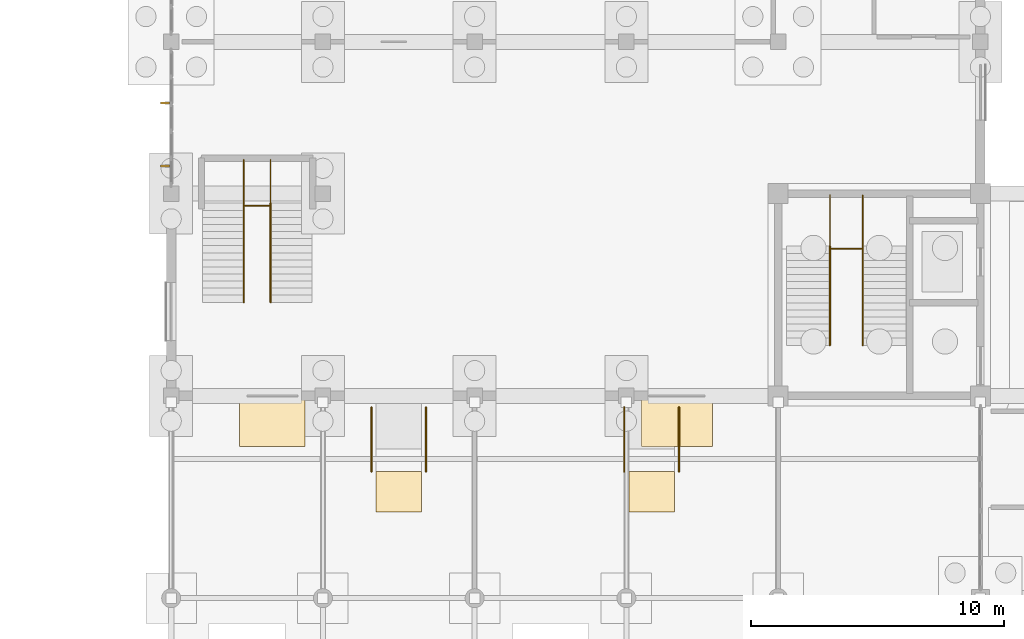
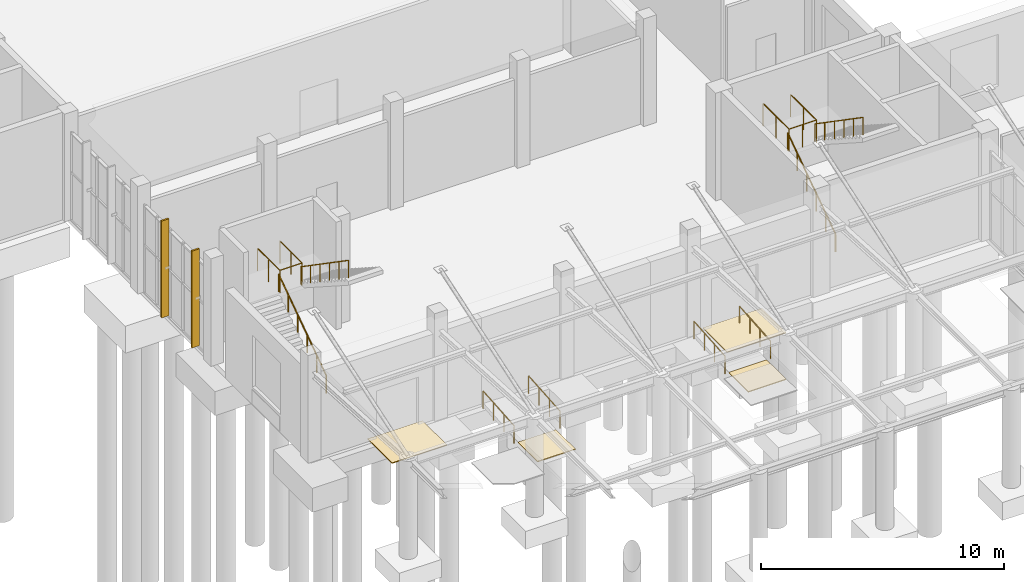
# One storey, part 59 of 69: 10 railings, 4 coverings, 2 shading devices.
"""IFC4 building model written with IfcOpenShell, lengths in metres."""

from ifc_helpers import new_model, si_unit, direction, frame, origin, origin_2d, place, context, subcontext, project, spatial, polyline, rectangle, circle, outline, extrude, material, layer, layer_set, type_object, element, save


model = new_model("IFC4")

# Units and contexts
model_context = context("Model", 3, precision=1e-05, world=origin(), true_north=direction((0.0, 1.0)))
body_context = subcontext(model_context, "Body", "Model", "MODEL_VIEW")
ifc_project = project(units=[si_unit("LENGTHUNIT", "METRE"), si_unit("AREAUNIT", "SQUARE_METRE"), si_unit("VOLUMEUNIT", "CUBIC_METRE"), si_unit("PLANEANGLEUNIT", "RADIAN"), si_unit("MASSUNIT", "GRAM", prefix="KILO")], contexts=[model_context])

# Site, building, storey
site_placement = place(None, origin())
site = spatial("IfcSite", under=ifc_project, at=site_placement, CompositionType="ELEMENT")
building_placement = place(site_placement, origin())
building = spatial("IfcBuilding", under=site, at=building_placement, Name="Solvane Community Centre", CompositionType="ELEMENT")
storey_placement = place(building_placement, origin())
storey = spatial("IfcBuildingStorey", under=building, at=storey_placement, Name="L00", CompositionType="ELEMENT", Elevation=0.0)

# Shading devices
ifc_material_1 = material(Name="Anodised bronze aluminium AW-6063 T6", Category="aluminium")
shading_device_type = type_object("IfcShadingDeviceType", Name="Art Deco Bronze Solar Fin 80x360", PredefinedType="USERDEFINED", material=ifc_material_1)
shading_device_1_placement = place(storey_placement, frame((35.760009765625, 31.086669921875, 0.14990234375), z_axis=(0.0, 0.0, 1.0), x_axis=(0.0, 1.0, 0.0)))
element("IfcShadingDevice", 1, at=shading_device_1_placement, inside=storey, type_object=shading_device_type, Name="Solar Brise-Soleil Fin 3", ObjectType="Solar Brise-Soleil Fin 3", PredefinedType="USERDEFINED", context=body_context, shape_type="SweptSolid", body=[
    extrude(rectangle(XDim=0.080078125, YDim=0.360107421875, at=origin_2d()), origin(), (0.0, 0.0, 1.0), 4.860107421875),
])
shading_device_2_placement = place(storey_placement, frame((35.760009765625, 33.580078125, 0.14990234375), z_axis=(0.0, 0.0, 1.0), x_axis=(0.0, 1.0, 0.0)))
element("IfcShadingDevice", 2, at=shading_device_2_placement, inside=storey, type_object=shading_device_type, Name="Solar Brise-Soleil Fin 4", ObjectType="Solar Brise-Soleil Fin 4", PredefinedType="USERDEFINED", context=body_context, shape_type="SweptSolid", body=[
    extrude(rectangle(XDim=0.080078125, YDim=0.360107421875, at=origin_2d()), origin(), (0.0, 0.0, 1.0), 4.860107421875),
])

# Railings
railing_type_1 = type_object("IfcRailingType", Name="Interior Gallery & Stair Well Guard 1150mm", PredefinedType="BALUSTRADE", material=ifc_material_1)
railing_1_placement = place(storey_placement, frame((62.050048828125, 29.93994140625, 2.699951171875)))
element("IfcRailing", 3, at=railing_1_placement, inside=storey, type_object=railing_type_1, Name="Railing GR-L00-003", PredefinedType="BALUSTRADE", context=body_context, shape_type="SweptSolid", body=[
    extrude(circle(Radius=0.02392578125, at=origin_2d()), frame((0.0, 0.0, 1.1259765625), z_axis=(0.0, -1.0, 0.0), x_axis=(1.0, 0.0, 0.0)), (0.0, 0.0, 1.0), 2.119873046875),
    extrude(circle(Radius=0.02392578125, at=origin_2d()), frame((0.0, -2.119873046875, 1.1259765625), z_axis=(1.0, 0.0, 0.0), x_axis=(0.0, 1.0, 0.0)), (0.0, 0.0, 1.0), 1.300048828125),
    extrude(circle(Radius=0.02392578125, at=origin_2d()), frame((1.300048828125, -2.119873046875, 1.1259765625), z_axis=(0.0, 1.0, 0.0), x_axis=(-1.0, 0.0, 0.0)), (0.0, 0.0, 1.0), 2.119873046875),
    extrude(circle(Radius=0.02099609375, at=origin_2d()), origin(), (0.0, 0.0, 1.0), 1.101806640625),
    extrude(circle(Radius=0.02099609375, at=origin_2d()), frame((0.0, -1.06005859375, 0.0)), (0.0, 0.0, 1.0), 1.101806640625),
    extrude(circle(Radius=0.02099609375, at=origin_2d()), frame((0.0, -2.119873046875, 0.0)), (0.0, 0.0, 1.0), 1.101806640625),
    extrude(circle(Radius=0.02099609375, at=origin_2d()), frame((0.64990234375, -2.119873046875, 0.0)), (0.0, 0.0, 1.0), 1.101806640625),
    extrude(circle(Radius=0.02099609375, at=origin_2d()), frame((1.300048828125, -2.119873046875, 0.0)), (0.0, 0.0, 1.0), 1.101806640625),
    extrude(circle(Radius=0.02099609375, at=origin_2d()), frame((1.300048828125, -1.06005859375, 0.0)), (0.0, 0.0, 1.0), 1.101806640625),
    extrude(circle(Radius=0.02099609375, at=origin_2d()), frame((1.300048828125, 0.0, 0.0)), (0.0, 0.0, 1.0), 1.101806640625),
])
railing_2_placement = place(storey_placement, frame((38.8701171875, 31.340087890625, 2.699951171875)))
element("IfcRailing", 4, at=railing_2_placement, inside=storey, type_object=railing_type_1, Name="Railing GR-L00-106", PredefinedType="BALUSTRADE", context=body_context, shape_type="SweptSolid", body=[
    extrude(circle(Radius=0.02392578125, at=origin_2d()), frame((0.0, 0.0, 1.1259765625), z_axis=(0.0, -1.0, 0.0), x_axis=(1.0, 0.0, 0.0)), (0.0, 0.0, 1.0), 1.820068359375),
    extrude(circle(Radius=0.02392578125, at=origin_2d()), frame((0.0, -1.820068359375, 1.1259765625), z_axis=(1.0, 0.0, 0.0), x_axis=(0.0, 1.0, 0.0)), (0.0, 0.0, 1.0), 1.059814453125),
    extrude(circle(Radius=0.02392578125, at=origin_2d()), frame((1.059814453125, -1.820068359375, 1.1259765625), z_axis=(0.0, 1.0, 0.0), x_axis=(-1.0, 0.0, 0.0)), (0.0, 0.0, 1.0), 1.820068359375),
    extrude(circle(Radius=0.02099609375, at=origin_2d()), origin(), (0.0, 0.0, 1.0), 1.101806640625),
    extrude(circle(Radius=0.02099609375, at=origin_2d()), frame((0.0, -0.91015625, 0.0)), (0.0, 0.0, 1.0), 1.101806640625),
    extrude(circle(Radius=0.02099609375, at=origin_2d()), frame((0.0, -1.820068359375, 0.0)), (0.0, 0.0, 1.0), 1.101806640625),
    extrude(circle(Radius=0.02099609375, at=origin_2d()), frame((1.059814453125, -1.820068359375, 0.0)), (0.0, 0.0, 1.0), 1.101806640625),
    extrude(circle(Radius=0.02099609375, at=origin_2d()), frame((1.059814453125, -0.91015625, 0.0)), (0.0, 0.0, 1.0), 1.101806640625),
    extrude(circle(Radius=0.02099609375, at=origin_2d()), frame((1.059814453125, 0.0, 0.0)), (0.0, 0.0, 1.0), 1.101806640625),
])
railing_type_2 = type_object("IfcRailingType", Name="Ramp Handrail 900mm", PredefinedType="HANDRAIL", material=ifc_material_1)
for number, where, name in (
    (5, (46.080078125, 19.0, -0.239990234375), "Ramp Handrail RMP-01"),
    (6, (43.919921875, 19.0, -0.239990234375), "Ramp Handrail RMP-01"),
    (7, (56.080078125, 19.0, -0.239990234375), "Ramp Handrail RMP-02"),
    (8, (53.919921875, 19.0, -0.239990234375), "Ramp Handrail RMP-02"),
):
    element("IfcRailing", number, at=place(storey_placement, frame(where)), inside=storey, type_object=railing_type_2, Name=name, PredefinedType="HANDRAIL", context=body_context, shape_type="SweptSolid", body=[
        extrude(circle(Radius=0.02392578125, at=origin_2d()), frame((0.0, 0.0, 0.8759765625), z_axis=(0.0, 0.99693998236, 0.078170784639), x_axis=(-1.0, 0.0, 0.0)), (0.0, 0.0, 1.0), 2.557861328125),
        extrude(circle(Radius=0.02099609375, at=origin_2d()), origin(), (0.0, 0.0, 1.0), 0.851806640625),
        extrude(circle(Radius=0.02099609375, at=origin_2d()), frame((0.0, 0.85009765625, 0.066650390625)), (0.0, 0.0, 1.0), 0.851806640625),
        extrude(circle(Radius=0.02099609375, at=origin_2d()), frame((0.0, 1.699951171875, 0.13330078125)), (0.0, 0.0, 1.0), 0.851806640625),
        extrude(circle(Radius=0.02099609375, at=origin_2d()), frame((0.0, 2.550048828125, 0.199951171875)), (0.0, 0.0, 1.0), 0.851806640625),
    ])
railing_type_3 = type_object("IfcRailingType", Name="Stair Pitch Handrail 900mm", PredefinedType="HANDRAIL", material=ifc_material_1)
railing_3_placement = place(storey_placement, frame((62.050048828125, 24.0, 0.0)))
element("IfcRailing", 9, at=railing_3_placement, inside=storey, type_object=railing_type_3, Name="Railing HR-L00-001", PredefinedType="HANDRAIL", context=body_context, shape_type="SweptSolid", body=[
    extrude(circle(Radius=0.02392578125, at=origin_2d()), frame((0.0, 0.0, 0.8759765625), z_axis=(0.0, 0.823550731654, 0.567242622158), x_axis=(-1.0, 0.0, 0.0)), (0.0, 0.0, 1.0), 4.759765625),
    extrude(circle(Radius=0.02099609375, at=origin_2d()), origin(), (0.0, 0.0, 1.0), 0.851806640625),
    extrude(circle(Radius=0.02099609375, at=origin_2d()), frame((0.0, 0.783935546875, 0.5400390625)), (0.0, 0.0, 1.0), 0.851806640625),
    extrude(circle(Radius=0.02099609375, at=origin_2d()), frame((0.0, 1.56787109375, 1.080078125)), (0.0, 0.0, 1.0), 0.851806640625),
    extrude(circle(Radius=0.02099609375, at=origin_2d()), frame((0.0, 2.35205078125, 1.619873046875)), (0.0, 0.0, 1.0), 0.851806640625),
    extrude(circle(Radius=0.02099609375, at=origin_2d()), frame((0.0, 3.135986328125, 2.159912109375)), (0.0, 0.0, 1.0), 0.851806640625),
    extrude(circle(Radius=0.02099609375, at=origin_2d()), frame((0.0, 3.919921875, 2.699951171875)), (0.0, 0.0, 1.0), 0.851806640625),
])
railing_4_placement = place(storey_placement, frame((63.35009765625, 27.919921875, 2.699951171875)))
element("IfcRailing", 10, at=railing_4_placement, inside=storey, type_object=railing_type_3, Name="Railing HR-L00-002", PredefinedType="HANDRAIL", context=body_context, shape_type="SweptSolid", body=[
    extrude(circle(Radius=0.02392578125, at=origin_2d()), frame((0.0, 0.0, 0.8759765625), z_axis=(0.0, -0.823550731654, 0.567242622158), x_axis=(1.0, 0.0, 0.0)), (0.0, 0.0, 1.0), 4.759765625),
    extrude(circle(Radius=0.02099609375, at=origin_2d()), origin(), (0.0, 0.0, 1.0), 0.851806640625),
    extrude(circle(Radius=0.02099609375, at=origin_2d()), frame((0.0, -0.783935546875, 0.5400390625)), (0.0, 0.0, 1.0), 0.851806640625),
    extrude(circle(Radius=0.02099609375, at=origin_2d()), frame((0.0, -1.56787109375, 1.080078125)), (0.0, 0.0, 1.0), 0.851806640625),
    extrude(circle(Radius=0.02099609375, at=origin_2d()), frame((0.0, -2.35205078125, 1.619873046875)), (0.0, 0.0, 1.0), 0.851806640625),
    extrude(circle(Radius=0.02099609375, at=origin_2d()), frame((0.0, -3.135986328125, 2.159912109375)), (0.0, 0.0, 1.0), 0.851806640625),
    extrude(circle(Radius=0.02099609375, at=origin_2d()), frame((0.0, -3.919921875, 2.699951171875)), (0.0, 0.0, 1.0), 0.851806640625),
])
railing_5_placement = place(storey_placement, frame((38.8701171875, 25.699951171875, 0.0)))
element("IfcRailing", 11, at=railing_5_placement, inside=storey, type_object=railing_type_3, Name="Railing HR-L00-104", PredefinedType="HANDRAIL", context=body_context, shape_type="SweptSolid", body=[
    extrude(circle(Radius=0.02392578125, at=origin_2d()), frame((0.0, 0.0, 0.8759765625), z_axis=(0.0, 0.823567234665, 0.567218661528), x_axis=(-1.0, 0.0, 0.0)), (0.0, 0.0, 1.0), 4.760009765625),
    extrude(circle(Radius=0.02099609375, at=origin_2d()), origin(), (0.0, 0.0, 1.0), 0.851806640625),
    extrude(circle(Radius=0.02099609375, at=origin_2d()), frame((0.0, 0.783935546875, 0.5400390625)), (0.0, 0.0, 1.0), 0.851806640625),
    extrude(circle(Radius=0.02099609375, at=origin_2d()), frame((0.0, 1.568115234375, 1.080078125)), (0.0, 0.0, 1.0), 0.851806640625),
    extrude(circle(Radius=0.02099609375, at=origin_2d()), frame((0.0, 2.35205078125, 1.619873046875)), (0.0, 0.0, 1.0), 0.851806640625),
    extrude(circle(Radius=0.02099609375, at=origin_2d()), frame((0.0, 3.13623046875, 2.159912109375)), (0.0, 0.0, 1.0), 0.851806640625),
    extrude(circle(Radius=0.02099609375, at=origin_2d()), frame((0.0, 3.920166015625, 2.699951171875)), (0.0, 0.0, 1.0), 0.851806640625),
])
railing_6_placement = place(storey_placement, frame((39.929931640625, 29.6201171875, 2.699951171875)))
element("IfcRailing", 12, at=railing_6_placement, inside=storey, type_object=railing_type_3, Name="Railing HR-L00-105", PredefinedType="HANDRAIL", context=body_context, shape_type="SweptSolid", body=[
    extrude(circle(Radius=0.02392578125, at=origin_2d()), frame((0.0, 0.0, 0.8759765625), z_axis=(0.0, -0.823567234665, 0.567218661528), x_axis=(1.0, 0.0, 0.0)), (0.0, 0.0, 1.0), 4.760009765625),
    extrude(circle(Radius=0.02099609375, at=origin_2d()), origin(), (0.0, 0.0, 1.0), 0.851806640625),
    extrude(circle(Radius=0.02099609375, at=origin_2d()), frame((0.0, -0.783935546875, 0.5400390625)), (0.0, 0.0, 1.0), 0.851806640625),
    extrude(circle(Radius=0.02099609375, at=origin_2d()), frame((0.0, -1.568115234375, 1.080078125)), (0.0, 0.0, 1.0), 0.851806640625),
    extrude(circle(Radius=0.02099609375, at=origin_2d()), frame((0.0, -2.35205078125, 1.619873046875)), (0.0, 0.0, 1.0), 0.851806640625),
    extrude(circle(Radius=0.02099609375, at=origin_2d()), frame((0.0, -3.13623046875, 2.159912109375)), (0.0, 0.0, 1.0), 0.851806640625),
    extrude(circle(Radius=0.02099609375, at=origin_2d()), frame((0.0, -3.920166015625, 2.699951171875)), (0.0, 0.0, 1.0), 0.851806640625),
])

# Coverings
ifc_material_2 = material(Name="Precast concrete C35/45", Category="concrete")
ifc_layer = layer(ifc_material_2, 0.0400390625)
ifc_layer_set = layer_set([ifc_layer], Name="Precast concrete C35/45")
covering_type = type_object("IfcCoveringType", Name="Stone Entrance Threshold Apron", PredefinedType="FLOORING", material=ifc_layer_set)
covering_1_placement = place(storey_placement, frame((0.0, 0.0, -0.0400390625)))
element("IfcCovering", 13, at=covering_1_placement, inside=storey, type_object=covering_type, Name="Entrance Threshold Apron L00-ED07", PredefinedType="FLOORING", context=body_context, shape_type="SweptSolid", body=[
    extrude(outline(polyline([(57.39990234375, 22.0), (54.60009765625, 22.0), (54.60009765625, 20.0), (57.39990234375, 20.0), (57.39990234375, 22.0)])), origin(), (0.0, 0.0, 1.0), 0.0400390625),
])
covering_2_placement = place(storey_placement, frame((0.0, 0.0, -0.0400390625)))
element("IfcCovering", 14, at=covering_2_placement, inside=storey, type_object=covering_type, Name="Entrance Threshold Apron L00-ED08", PredefinedType="FLOORING", context=body_context, shape_type="SweptSolid", body=[
    extrude(outline(polyline([(41.300048828125, 22.0), (38.699951171875, 22.0), (38.699951171875, 20.0), (41.300048828125, 20.0), (41.300048828125, 22.0)])), origin(), (0.0, 0.0, 1.0), 0.0400390625),
])
covering_3_placement = place(storey_placement, frame((0.0, 0.0, -0.280029296875)))
element("IfcCovering", 15, at=covering_3_placement, inside=storey, type_object=covering_type, Name="Ramp Base Landing RMP-01", PredefinedType="FLOORING", context=body_context, shape_type="SweptSolid", body=[
    extrude(outline(polyline([(45.89990234375, 17.39990234375), (45.89990234375, 19.0), (44.10009765625, 19.0), (44.10009765625, 17.39990234375), (45.89990234375, 17.39990234375)])), origin(), (0.0, 0.0, 1.0), 0.0400390625),
])
covering_4_placement = place(storey_placement, frame((0.0, 0.0, -0.280029296875)))
element("IfcCovering", 16, at=covering_4_placement, inside=storey, type_object=covering_type, Name="Ramp Base Landing RMP-02", PredefinedType="FLOORING", context=body_context, shape_type="SweptSolid", body=[
    extrude(outline(polyline([(55.89990234375, 17.39990234375), (55.89990234375, 19.0), (54.10009765625, 19.0), (54.10009765625, 17.39990234375), (55.89990234375, 17.39990234375)])), origin(), (0.0, 0.0, 1.0), 0.0400390625),
])

save(model, "model.ifc")
